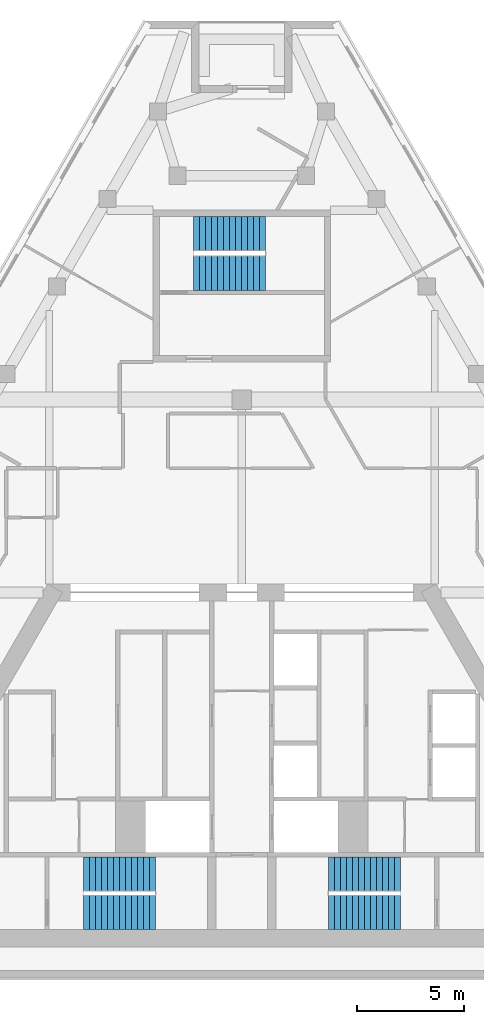
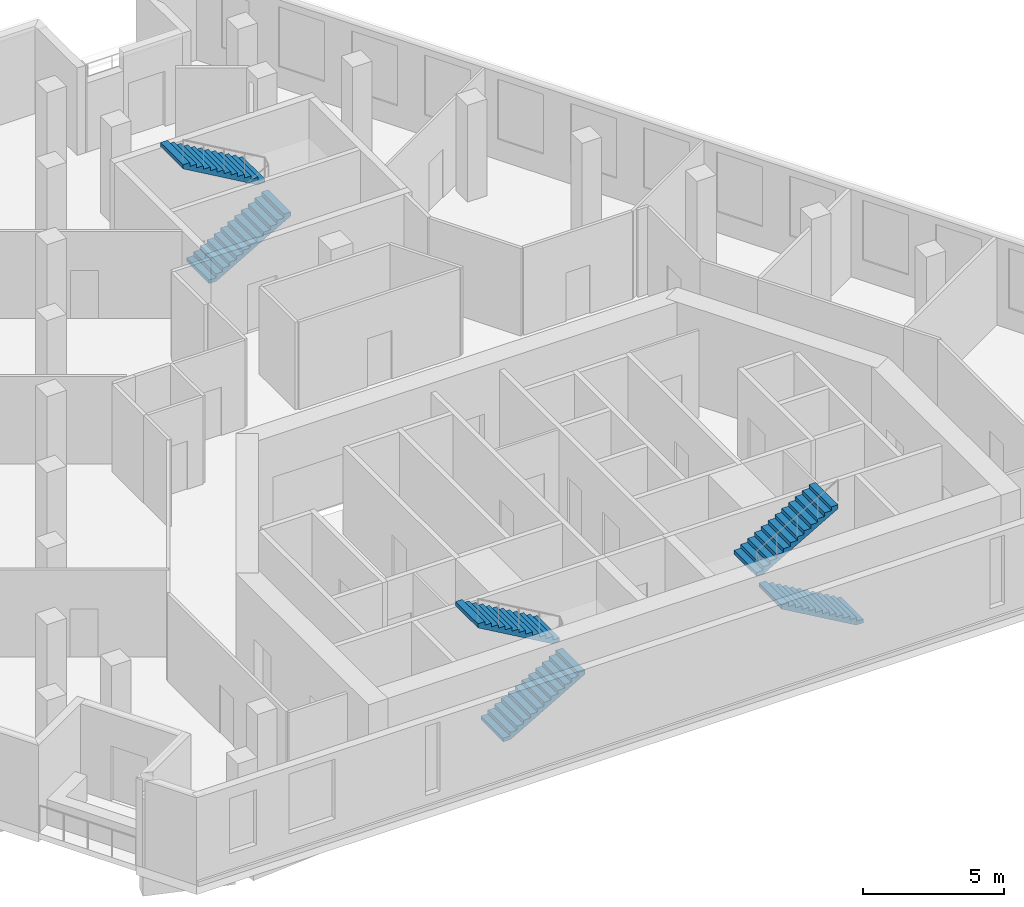
# One storey, part 7 of 8: 6 stair flights, 3 elements without a shape of their own.
"""IFC4 building model written with IfcOpenShell, lengths in metres."""

from ifc_helpers import new_model, si_unit, direction, frame, origin, place, context, subcontext, project, spatial, polyline, outline, extrude, material, type_object, element, aggregate, save


model = new_model("IFC4")

# Units and contexts
model_context = context("Model", 3, precision=1e-05, world=origin(), true_north=direction((0.0, 1.0)))
body_context = subcontext(model_context, "Body", "Model", "MODEL_VIEW")
ifc_project = project(units=[si_unit("LENGTHUNIT", "METRE"), si_unit("AREAUNIT", "SQUARE_METRE"), si_unit("VOLUMEUNIT", "CUBIC_METRE"), si_unit("PLANEANGLEUNIT", "RADIAN"), si_unit("MASSUNIT", "GRAM", prefix="KILO")], contexts=[model_context])

# Site, building, storey
site_placement = place(None, origin())
site = spatial("IfcSite", under=ifc_project, at=site_placement, CompositionType="ELEMENT")
building_placement = place(site_placement, origin())
building = spatial("IfcBuilding", under=site, at=building_placement, Name="Fogline Exchange Tower", CompositionType="ELEMENT")
storey_placement = place(building_placement, frame((0.0, 0.0, 275.10009765625)))
storey = spatial("IfcBuildingStorey", under=building, at=storey_placement, Name="L62", CompositionType="ELEMENT", Elevation=275.10009765625)

# Stair, stair flights
ifc_material = material(Name="Concrete C40", Category="concrete")
stair_type = type_object("IfcStairType", Name="STR26-1615", PredefinedType="HALF_TURN_STAIR", material=ifc_material)
stair_1_placement = place(storey_placement, origin())
stair_1 = element("IfcStair", 1, at=stair_1_placement, inside=storey, type_object=stair_type, Name="Stair ST1", PredefinedType="HALF_TURN_STAIR")
stair_flight_type = type_object("IfcStairFlightType", Name="SF13-1615", PredefinedType="STRAIGHT", material=ifc_material)
stair_flight_1_placement = place(storey_placement, frame((-7.39990234375, 3.050048828125, 0.0), z_axis=(0.0, 0.0, 1.0), x_axis=(1.0, 0.0, 0.0)))
stair_flight_1 = element("IfcStairFlight", 2, at=stair_flight_1_placement, type_object=stair_flight_type, Name="ST1 flight 1", NumberOfRisers=13, NumberOfTreads=12, PredefinedType="STRAIGHT", RiserHeight=0.161538462, TreadLength=0.28, context=body_context, shape_type="SweptSolid", body=[
    extrude(outline(polyline([(0.0, 0.0), (0.0, 0.16162109375), (0.280029296875, 0.16162109375), (0.280029296875, 0.322998046875), (0.56005859375, 0.322998046875), (0.56005859375, 0.484619140625), (0.840087890625, 0.484619140625), (0.840087890625, 0.646240234375), (1.1201171875, 0.646240234375), (1.1201171875, 0.8076171875), (1.39990234375, 0.8076171875), (1.39990234375, 0.96923828125), (1.679931640625, 0.96923828125), (1.679931640625, 1.130859375), (1.9599609375, 1.130859375), (1.9599609375, 1.292236328125), (2.239990234375, 1.292236328125), (2.239990234375, 1.453857421875), (2.52001953125, 1.453857421875), (2.52001953125, 1.615478515625), (2.800048828125, 1.615478515625), (2.800048828125, 1.77685546875), (3.080078125, 1.77685546875), (3.080078125, 1.9384765625), (3.360107421875, 1.9384765625), (3.360107421875, 2.10009765625), (3.360107421875, 1.765380859375), (0.300048828125, 0.0), (0.0, 0.0)])), frame((0.0, 0.800048828125, 0.0), z_axis=(0.0, -1.0, 0.0), x_axis=(1.0, 0.0, 0.0)), (0.0, 0.0, 1.0), 1.60009765625),
])
stair_flight_2_placement = place(storey_placement, frame((-4.0400390625, 4.85009765625, 2.099853515625), z_axis=(0.0, 0.0, 1.0), x_axis=(-1.0, 0.0, 0.0)))
stair_flight_2 = element("IfcStairFlight", 3, at=stair_flight_2_placement, type_object=stair_flight_type, Name="ST1 flight 2", NumberOfRisers=13, NumberOfTreads=12, PredefinedType="STRAIGHT", RiserHeight=0.161538462, TreadLength=0.28, context=body_context, shape_type="SweptSolid", body=[
    extrude(outline(polyline([(0.0, 0.0), (0.0, 0.16162109375), (0.280029296875, 0.16162109375), (0.280029296875, 0.322998046875), (0.56005859375, 0.322998046875), (0.56005859375, 0.484619140625), (0.840087890625, 0.484619140625), (0.840087890625, 0.646240234375), (1.1201171875, 0.646240234375), (1.1201171875, 0.8076171875), (1.39990234375, 0.8076171875), (1.39990234375, 0.96923828125), (1.679931640625, 0.96923828125), (1.679931640625, 1.130859375), (1.9599609375, 1.130859375), (1.9599609375, 1.292236328125), (2.239990234375, 1.292236328125), (2.239990234375, 1.453857421875), (2.52001953125, 1.453857421875), (2.52001953125, 1.615478515625), (2.800048828125, 1.615478515625), (2.800048828125, 1.77685546875), (3.080078125, 1.77685546875), (3.080078125, 1.9384765625), (3.360107421875, 1.9384765625), (3.360107421875, 2.10009765625), (3.360107421875, 1.765380859375), (0.300048828125, 0.0), (0.0, 0.0)])), frame((0.0, 0.800048828125, 0.0), z_axis=(0.0, -1.0, 0.0), x_axis=(1.0, 0.0, 0.0)), (0.0, 0.0, 1.0), 1.60009765625),
])
aggregate(stair_1, [stair_flight_1, stair_flight_2])

stair_2_placement = place(storey_placement, origin())
stair_2 = element("IfcStair", 4, at=stair_2_placement, inside=storey, type_object=stair_type, Name="Stair ST2", PredefinedType="HALF_TURN_STAIR")
stair_flight_3_placement = place(storey_placement, frame((7.39990234375, 3.050048828125, 0.0), z_axis=(0.0, 0.0, 1.0), x_axis=(-1.0, 0.0, 0.0)))
stair_flight_3 = element("IfcStairFlight", 5, at=stair_flight_3_placement, type_object=stair_flight_type, Name="ST2 flight 1", NumberOfRisers=13, NumberOfTreads=12, PredefinedType="STRAIGHT", RiserHeight=0.161538462, TreadLength=0.28, context=body_context, shape_type="SweptSolid", body=[
    extrude(outline(polyline([(0.0, 0.0), (0.0, 0.16162109375), (0.280029296875, 0.16162109375), (0.280029296875, 0.322998046875), (0.56005859375, 0.322998046875), (0.56005859375, 0.484619140625), (0.840087890625, 0.484619140625), (0.840087890625, 0.646240234375), (1.1201171875, 0.646240234375), (1.1201171875, 0.8076171875), (1.39990234375, 0.8076171875), (1.39990234375, 0.96923828125), (1.679931640625, 0.96923828125), (1.679931640625, 1.130859375), (1.9599609375, 1.130859375), (1.9599609375, 1.292236328125), (2.239990234375, 1.292236328125), (2.239990234375, 1.453857421875), (2.52001953125, 1.453857421875), (2.52001953125, 1.615478515625), (2.800048828125, 1.615478515625), (2.800048828125, 1.77685546875), (3.080078125, 1.77685546875), (3.080078125, 1.9384765625), (3.360107421875, 1.9384765625), (3.360107421875, 2.10009765625), (3.360107421875, 1.765380859375), (0.300048828125, 0.0), (0.0, 0.0)])), frame((0.0, 0.800048828125, 0.0), z_axis=(0.0, -1.0, 0.0), x_axis=(1.0, 0.0, 0.0)), (0.0, 0.0, 1.0), 1.60009765625),
])
stair_flight_4_placement = place(storey_placement, frame((4.0400390625, 4.85009765625, 2.099853515625), z_axis=(0.0, 0.0, 1.0), x_axis=(1.0, 0.0, 0.0)))
stair_flight_4 = element("IfcStairFlight", 6, at=stair_flight_4_placement, type_object=stair_flight_type, Name="ST2 flight 2", NumberOfRisers=13, NumberOfTreads=12, PredefinedType="STRAIGHT", RiserHeight=0.161538462, TreadLength=0.28, context=body_context, shape_type="SweptSolid", body=[
    extrude(outline(polyline([(0.0, 0.0), (0.0, 0.16162109375), (0.280029296875, 0.16162109375), (0.280029296875, 0.322998046875), (0.56005859375, 0.322998046875), (0.56005859375, 0.484619140625), (0.840087890625, 0.484619140625), (0.840087890625, 0.646240234375), (1.1201171875, 0.646240234375), (1.1201171875, 0.8076171875), (1.39990234375, 0.8076171875), (1.39990234375, 0.96923828125), (1.679931640625, 0.96923828125), (1.679931640625, 1.130859375), (1.9599609375, 1.130859375), (1.9599609375, 1.292236328125), (2.239990234375, 1.292236328125), (2.239990234375, 1.453857421875), (2.52001953125, 1.453857421875), (2.52001953125, 1.615478515625), (2.800048828125, 1.615478515625), (2.800048828125, 1.77685546875), (3.080078125, 1.77685546875), (3.080078125, 1.9384765625), (3.360107421875, 1.9384765625), (3.360107421875, 2.10009765625), (3.360107421875, 1.765380859375), (0.300048828125, 0.0), (0.0, 0.0)])), frame((0.0, 0.800048828125, 0.0), z_axis=(0.0, -1.0, 0.0), x_axis=(1.0, 0.0, 0.0)), (0.0, 0.0, 1.0), 1.60009765625),
])
aggregate(stair_2, [stair_flight_3, stair_flight_4])

stair_3_placement = place(storey_placement, origin())
stair_3 = element("IfcStair", 7, at=stair_3_placement, inside=storey, type_object=stair_type, Name="Stair ST3", PredefinedType="HALF_TURN_STAIR")
stair_flight_5_placement = place(storey_placement, frame((-2.25, 32.906982421875, 0.0), z_axis=(0.0, 0.0, 1.0), x_axis=(1.0, 0.0, 0.0)))
stair_flight_5 = element("IfcStairFlight", 8, at=stair_flight_5_placement, type_object=stair_flight_type, Name="ST3 flight 1", NumberOfRisers=13, NumberOfTreads=12, PredefinedType="STRAIGHT", RiserHeight=0.161538462, TreadLength=0.28, context=body_context, shape_type="SweptSolid", body=[
    extrude(outline(polyline([(0.0, 0.0), (0.0, 0.16162109375), (0.280029296875, 0.16162109375), (0.280029296875, 0.322998046875), (0.56005859375, 0.322998046875), (0.56005859375, 0.484619140625), (0.840087890625, 0.484619140625), (0.840087890625, 0.646240234375), (1.1201171875, 0.646240234375), (1.1201171875, 0.8076171875), (1.39990234375, 0.8076171875), (1.39990234375, 0.96923828125), (1.679931640625, 0.96923828125), (1.679931640625, 1.130859375), (1.9599609375, 1.130859375), (1.9599609375, 1.292236328125), (2.239990234375, 1.292236328125), (2.239990234375, 1.453857421875), (2.52001953125, 1.453857421875), (2.52001953125, 1.615478515625), (2.800048828125, 1.615478515625), (2.800048828125, 1.77685546875), (3.080078125, 1.77685546875), (3.080078125, 1.9384765625), (3.360107421875, 1.9384765625), (3.360107421875, 2.10009765625), (3.360107421875, 1.765380859375), (0.300048828125, 0.0), (0.0, 0.0)])), frame((0.0, 0.800048828125, 0.0), z_axis=(0.0, -1.0, 0.0), x_axis=(1.0, 0.0, 0.0)), (0.0, 0.0, 1.0), 1.60009765625),
])
stair_flight_6_placement = place(storey_placement, frame((1.110107421875, 34.757080078125, 2.099853515625), z_axis=(0.0, 0.0, 1.0), x_axis=(-1.0, 0.0, 0.0)))
stair_flight_6 = element("IfcStairFlight", 9, at=stair_flight_6_placement, type_object=stair_flight_type, Name="ST3 flight 2", NumberOfRisers=13, NumberOfTreads=12, PredefinedType="STRAIGHT", RiserHeight=0.161538462, TreadLength=0.28, context=body_context, shape_type="SweptSolid", body=[
    extrude(outline(polyline([(0.0, 0.0), (0.0, 0.16162109375), (0.280029296875, 0.16162109375), (0.280029296875, 0.322998046875), (0.56005859375, 0.322998046875), (0.56005859375, 0.484619140625), (0.840087890625, 0.484619140625), (0.840087890625, 0.646240234375), (1.1201171875, 0.646240234375), (1.1201171875, 0.8076171875), (1.39990234375, 0.8076171875), (1.39990234375, 0.96923828125), (1.679931640625, 0.96923828125), (1.679931640625, 1.130859375), (1.9599609375, 1.130859375), (1.9599609375, 1.292236328125), (2.239990234375, 1.292236328125), (2.239990234375, 1.453857421875), (2.52001953125, 1.453857421875), (2.52001953125, 1.615478515625), (2.800048828125, 1.615478515625), (2.800048828125, 1.77685546875), (3.080078125, 1.77685546875), (3.080078125, 1.9384765625), (3.360107421875, 1.9384765625), (3.360107421875, 2.10009765625), (3.360107421875, 1.765380859375), (0.300048828125, 0.0), (0.0, 0.0)])), frame((0.0, 0.800048828125, 0.0), z_axis=(0.0, -1.0, 0.0), x_axis=(1.0, 0.0, 0.0)), (0.0, 0.0, 1.0), 1.60009765625),
])
aggregate(stair_3, [stair_flight_5, stair_flight_6])

save(model, "model.ifc")
